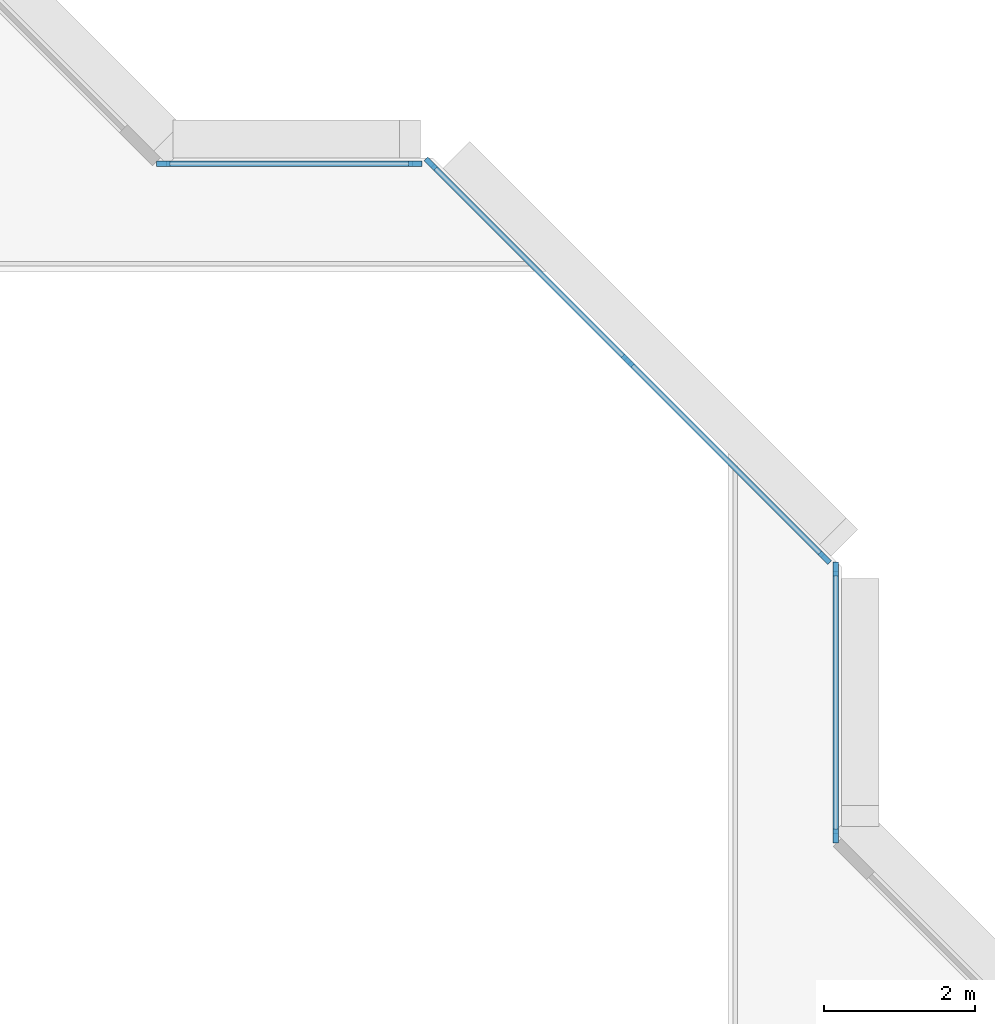
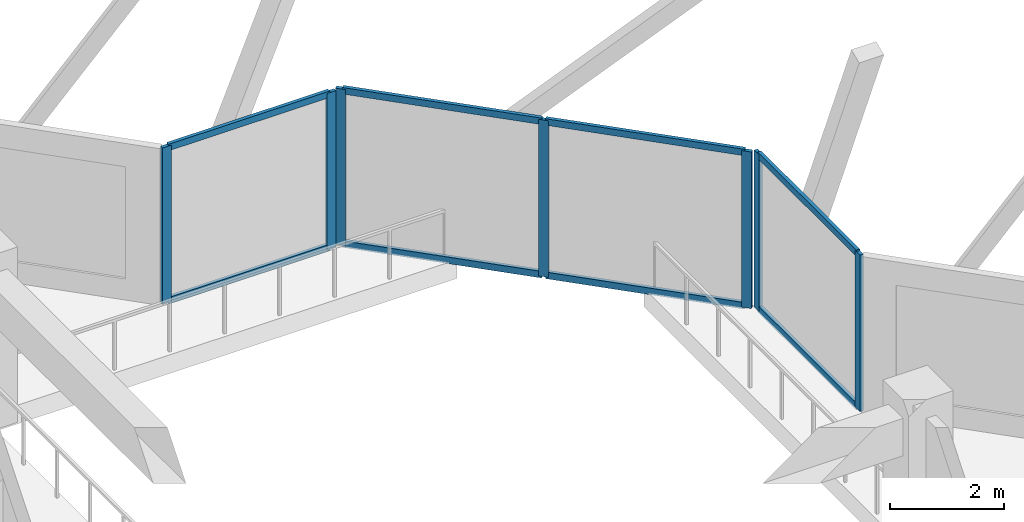
# One storey, part 2 of 15: 15 members, 3 elements without a shape of their own.
"""IFC4 building model written with IfcOpenShell, lengths in metres."""

from ifc_helpers import new_model, si_unit, direction, frame, origin, origin_2d, place, context, subcontext, project, spatial, rectangle, extrude, material, layer, layer_set, material_profile, profile_set, type_object, element, aggregate, save


model = new_model("IFC4")

# Units and contexts
model_context = context("Model", 3, precision=1e-05, world=origin(), true_north=direction((0.0, 1.0)))
body_context = subcontext(model_context, "Body", "Model", "MODEL_VIEW")
ifc_project = project(units=[si_unit("LENGTHUNIT", "METRE"), si_unit("AREAUNIT", "SQUARE_METRE"), si_unit("VOLUMEUNIT", "CUBIC_METRE"), si_unit("PLANEANGLEUNIT", "RADIAN"), si_unit("MASSUNIT", "GRAM", prefix="KILO")], contexts=[model_context])

# Site, building, storey
site_placement = place(None, origin())
site = spatial("IfcSite", under=ifc_project, at=site_placement, CompositionType="ELEMENT")
building_placement = place(site_placement, origin())
building = spatial("IfcBuilding", under=site, at=building_placement, Name="Chenar Terraces", CompositionType="ELEMENT")
storey_placement = place(building_placement, frame((0.0, 0.0, 187.39990234375)))
storey = spatial("IfcBuildingStorey", under=building, at=storey_placement, Name="L43", CompositionType="ELEMENT", Elevation=187.39990234375)

# Curtain wall, members
ifc_material_1 = material(Name="Aluminium framed glazing", Category="aluminium")
ifc_layer = layer(ifc_material_1, 0.14990234375)
ifc_layer_set = layer_set([ifc_layer], Name="Aluminium framed glazing")
curtain_wall_type = type_object("IfcCurtainWallType", Name="Atrium mid-zone curtain wall", PredefinedType="NOTDEFINED", material=ifc_layer_set)
placement = place(storey_placement, origin())
curtain_wall_1 = element("IfcCurtainWall", 1, at=placement, inside=storey, type_object=curtain_wall_type, Name="Atrium mid-zone curtain wall", PredefinedType="NOTDEFINED")
ifc_material_2 = material(Name="Aluminium", Category="aluminium")
ifc_material_profile_1 = material_profile(ifc_material_2, rectangle(XDim=0.070068359375, YDim=0.179931640625, at=origin_2d()), Name="Atrium mid-zone glazing mullion 70 x 180")
ifc_profile_set_1 = profile_set([ifc_material_profile_1], Name="Aluminium")
member_type_1 = type_object("IfcMemberType", Name="Atrium mid-zone glazing mullion 70 x 180", PredefinedType="MULLION", material=ifc_profile_set_1)
member_1_placement = place(storey_placement, frame((37.425048828125, 28.534912109375, 0.0), z_axis=(0.0, 0.0, 1.0), x_axis=(-1.0, 0.0, 0.0)))
member_1 = element("IfcMember", 2, at=member_1_placement, type_object=member_type_1, Name="CW7-1 mullion 1", PredefinedType="MULLION", context=body_context, shape_type="SweptSolid", body=[
    extrude(rectangle(XDim=0.070068359375, YDim=0.179931640625, at=origin_2d()), origin(), (0.0, 0.0, 1.0), 3.35009765625),
])
member_2_placement = place(storey_placement, frame((37.425048828125, 32.06494140625, 0.0), z_axis=(0.0, 0.0, 1.0), x_axis=(-1.0, 0.0, 0.0)))
member_2 = element("IfcMember", 3, at=member_2_placement, type_object=member_type_1, Name="CW7-1 mullion 2", PredefinedType="MULLION", context=body_context, shape_type="SweptSolid", body=[
    extrude(rectangle(XDim=0.070068359375, YDim=0.179931640625, at=origin_2d()), origin(), (0.0, 0.0, 1.0), 3.35009765625),
])

curtain_wall_2 = element("IfcCurtainWall", 4, at=placement, inside=storey, type_object=curtain_wall_type, Name="Atrium mid-zone curtain wall", PredefinedType="NOTDEFINED")
member_3_placement = place(storey_placement, frame((37.28076171875, 32.213134765625, 0.0), z_axis=(0.0, 0.0, 1.0), x_axis=(-0.707106781187, -0.707106781187, 0.0)))
member_3 = element("IfcMember", 5, at=member_3_placement, type_object=member_type_1, Name="CW7-2 mullion 1", PredefinedType="MULLION", context=body_context, shape_type="SweptSolid", body=[
    extrude(rectangle(XDim=0.070068359375, YDim=0.179931640625, at=origin_2d()), origin(), (0.0, 0.0, 1.0), 3.35009765625),
])
member_4_placement = place(storey_placement, frame((34.67626953125, 34.817626953125, 0.0), z_axis=(0.0, 0.0, 1.0), x_axis=(-0.707106781187, -0.707106781187, 0.0)))
member_4 = element("IfcMember", 6, at=member_4_placement, type_object=member_type_1, Name="CW7-2 mullion 2", PredefinedType="MULLION", context=body_context, shape_type="SweptSolid", body=[
    extrude(rectangle(XDim=0.070068359375, YDim=0.179931640625, at=origin_2d()), origin(), (0.0, 0.0, 1.0), 3.35009765625),
])
member_5_placement = place(storey_placement, frame((32.07177734375, 37.42236328125, 0.0), z_axis=(0.0, 0.0, 1.0), x_axis=(-0.707106781187, -0.707106781187, 0.0)))
member_5 = element("IfcMember", 7, at=member_5_placement, type_object=member_type_1, Name="CW7-2 mullion 3", PredefinedType="MULLION", context=body_context, shape_type="SweptSolid", body=[
    extrude(rectangle(XDim=0.070068359375, YDim=0.179931640625, at=origin_2d()), origin(), (0.0, 0.0, 1.0), 3.35009765625),
])

curtain_wall_3 = element("IfcCurtainWall", 8, at=placement, inside=storey, type_object=curtain_wall_type, Name="Atrium mid-zone curtain wall", PredefinedType="NOTDEFINED")
member_6_placement = place(storey_placement, frame((31.864990234375, 37.425048828125, 0.0), z_axis=(0.0, 0.0, 1.0), x_axis=(0.0, -1.0, 0.0)))
member_6 = element("IfcMember", 9, at=member_6_placement, type_object=member_type_1, Name="CW7-3 mullion 1", PredefinedType="MULLION", context=body_context, shape_type="SweptSolid", body=[
    extrude(rectangle(XDim=0.070068359375, YDim=0.179931640625, at=origin_2d()), origin(), (0.0, 0.0, 1.0), 3.35009765625),
])
member_7_placement = place(storey_placement, frame((28.534912109375, 37.425048828125, 0.0), z_axis=(0.0, 0.0, 1.0), x_axis=(0.0, -1.0, 0.0)))
member_7 = element("IfcMember", 10, at=member_7_placement, type_object=member_type_1, Name="CW7-3 mullion 2", PredefinedType="MULLION", context=body_context, shape_type="SweptSolid", body=[
    extrude(rectangle(XDim=0.070068359375, YDim=0.179931640625, at=origin_2d()), origin(), (0.0, 0.0, 1.0), 3.35009765625),
])

# Member
ifc_material_3 = material(Name="Aluminium", Category="aluminium")
ifc_material_profile_2 = material_profile(ifc_material_3, rectangle(XDim=0.070068359375, YDim=0.139892578125, at=origin_2d()), Name="Atrium mid-zone glazing transom 70 x 140")
ifc_profile_set_2 = profile_set([ifc_material_profile_2], Name="Aluminium")
member_type_2 = type_object("IfcMemberType", Name="Atrium mid-zone glazing transom 70 x 140", PredefinedType="USERDEFINED", material=ifc_profile_set_2)
member_8_placement = place(storey_placement, frame((37.425048828125, 28.570068359375, 0.03515625), z_axis=(0.0, 1.0, 0.0), x_axis=(-1.0, 0.0, 0.0)))
member_8 = element("IfcMember", 11, at=member_8_placement, type_object=member_type_2, Name="CW7-1 transom 1.1", ObjectType="TRANSOM", PredefinedType="USERDEFINED", context=body_context, shape_type="SweptSolid", body=[
    extrude(rectangle(XDim=0.070068359375, YDim=0.139892578125, at=origin_2d()), origin(), (0.0, 0.0, 1.0), 3.4599609375),
])

member_9_placement = place(storey_placement, frame((37.425048828125, 28.570068359375, 3.315185546875), z_axis=(0.0, 1.0, 0.0), x_axis=(-1.0, 0.0, 0.0)))
member_9 = element("IfcMember", 12, at=member_9_placement, type_object=member_type_2, Name="CW7-1 transom 1.2", ObjectType="TRANSOM", PredefinedType="USERDEFINED", context=body_context, shape_type="SweptSolid", body=[
    extrude(rectangle(XDim=0.070068359375, YDim=0.139892578125, at=origin_2d()), origin(), (0.0, 0.0, 1.0), 3.4599609375),
])

aggregate(curtain_wall_1, [member_1, member_2, member_8, member_9])

member_10_placement = place(storey_placement, frame((37.256103515625, 32.23779296875, 0.03515625), z_axis=(-0.707106781187, 0.707106781187, 0.0), x_axis=(-0.707106781187, -0.707106781187, 0.0)))
member_10 = element("IfcMember", 13, at=member_10_placement, type_object=member_type_2, Name="CW7-2 transom 1.1", ObjectType="TRANSOM", PredefinedType="USERDEFINED", context=body_context, shape_type="SweptSolid", body=[
    extrude(rectangle(XDim=0.070068359375, YDim=0.139892578125, at=origin_2d()), origin(), (0.0, 0.0, 1.0), 3.613525390625),
])

member_11_placement = place(storey_placement, frame((37.256103515625, 32.23779296875, 3.315185546875), z_axis=(-0.707106781187, 0.707106781187, 0.0), x_axis=(-0.707106781187, -0.707106781187, 0.0)))
member_11 = element("IfcMember", 14, at=member_11_placement, type_object=member_type_2, Name="CW7-2 transom 1.2", ObjectType="TRANSOM", PredefinedType="USERDEFINED", context=body_context, shape_type="SweptSolid", body=[
    extrude(rectangle(XDim=0.070068359375, YDim=0.139892578125, at=origin_2d()), origin(), (0.0, 0.0, 1.0), 3.613525390625),
])

member_12_placement = place(storey_placement, frame((34.651611328125, 34.842529296875, 0.03515625), z_axis=(-0.707140563131, 0.707072997628, 0.0), x_axis=(-0.707072997628, -0.707140563131, 0.0)))
member_12 = element("IfcMember", 15, at=member_12_placement, type_object=member_type_2, Name="CW7-2 transom 2.1", ObjectType="TRANSOM", PredefinedType="USERDEFINED", context=body_context, shape_type="SweptSolid", body=[
    extrude(rectangle(XDim=0.070068359375, YDim=0.139892578125, at=origin_2d()), origin(), (0.0, 0.0, 1.0), 3.61328125),
])

member_13_placement = place(storey_placement, frame((34.651611328125, 34.842529296875, 3.315185546875), z_axis=(-0.707140563131, 0.707072997628, 0.0), x_axis=(-0.707072997628, -0.707140563131, 0.0)))
member_13 = element("IfcMember", 16, at=member_13_placement, type_object=member_type_2, Name="CW7-2 transom 2.2", ObjectType="TRANSOM", PredefinedType="USERDEFINED", context=body_context, shape_type="SweptSolid", body=[
    extrude(rectangle(XDim=0.070068359375, YDim=0.139892578125, at=origin_2d()), origin(), (0.0, 0.0, 1.0), 3.61328125),
])

aggregate(curtain_wall_2, [member_3, member_4, member_5, member_10, member_11, member_12, member_13])

member_14_placement = place(storey_placement, frame((31.830078125, 37.425048828125, 0.03515625), z_axis=(-1.0, 0.0, 0.0), x_axis=(0.0, -1.0, 0.0)))
member_14 = element("IfcMember", 17, at=member_14_placement, type_object=member_type_2, Name="CW7-3 transom 1.1", ObjectType="TRANSOM", PredefinedType="USERDEFINED", context=body_context, shape_type="SweptSolid", body=[
    extrude(rectangle(XDim=0.070068359375, YDim=0.139892578125, at=origin_2d()), origin(), (0.0, 0.0, 1.0), 3.260009765625),
])

member_15_placement = place(storey_placement, frame((31.830078125, 37.425048828125, 3.315185546875), z_axis=(-1.0, 0.0, 0.0), x_axis=(0.0, -1.0, 0.0)))
member_15 = element("IfcMember", 18, at=member_15_placement, type_object=member_type_2, Name="CW7-3 transom 1.2", ObjectType="TRANSOM", PredefinedType="USERDEFINED", context=body_context, shape_type="SweptSolid", body=[
    extrude(rectangle(XDim=0.070068359375, YDim=0.139892578125, at=origin_2d()), origin(), (0.0, 0.0, 1.0), 3.260009765625),
])

aggregate(curtain_wall_3, [member_6, member_7, member_14, member_15])

save(model, "model.ifc")
